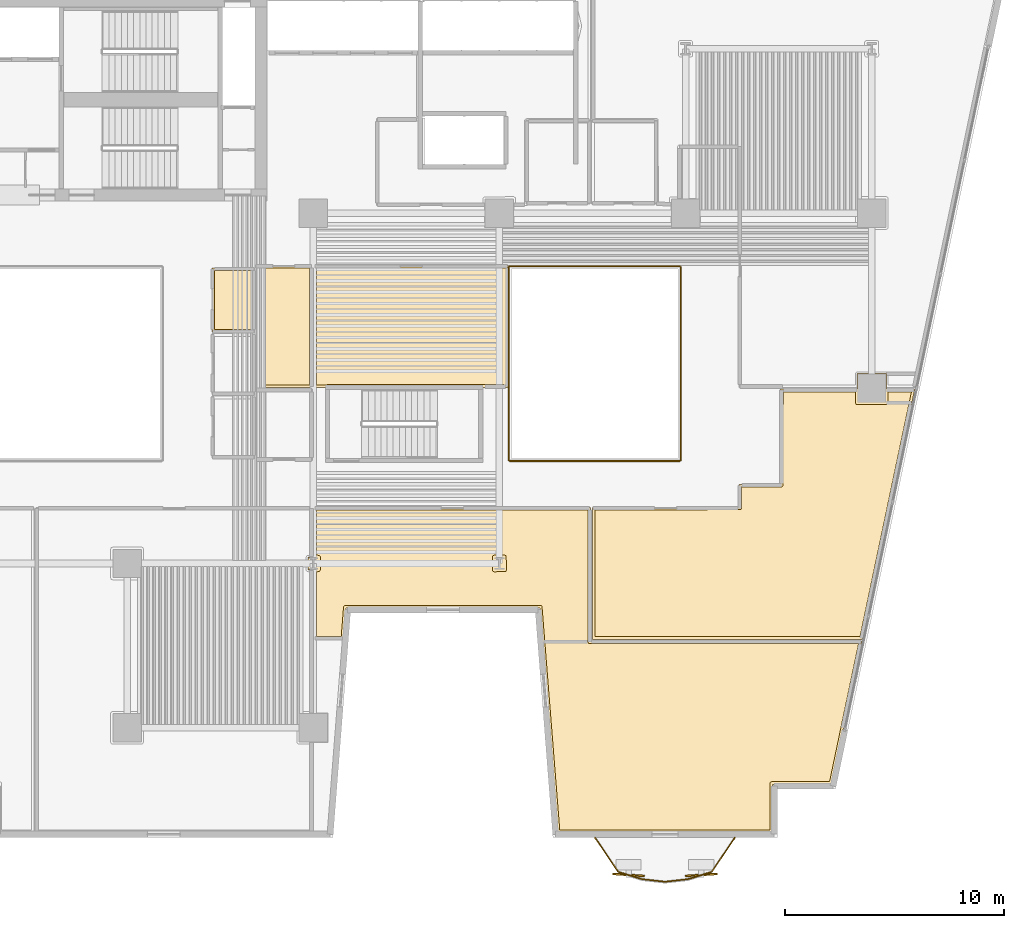
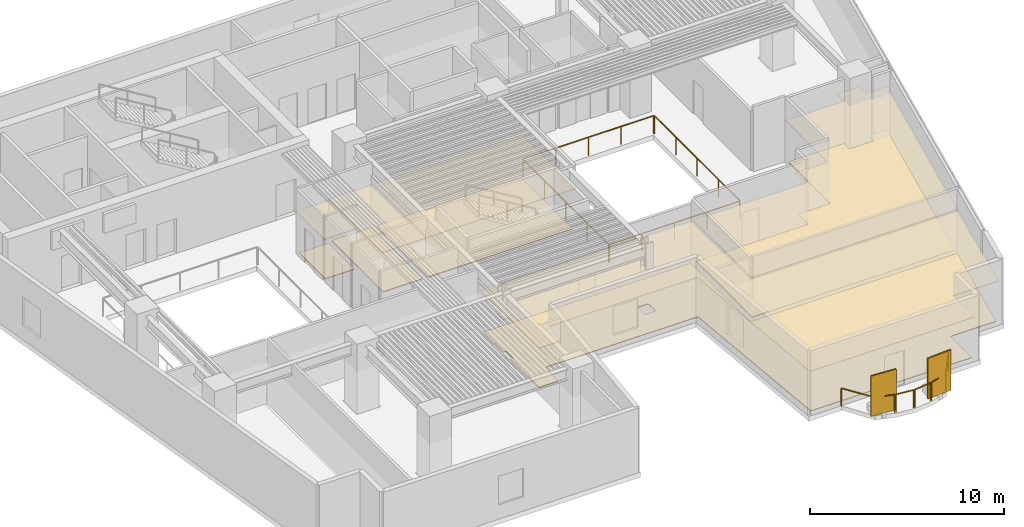
# One storey, part 9 of 11: 10 coverings, 10 railings, 2 shading devices.
"""IFC4 building model written with IfcOpenShell, lengths in metres."""

import ifcopenshell
import ifcopenshell.guid

model = None  # the IFC model being written
_history = None  # IfcOwnerHistory: only IFC2X3 demands one
_inside = {}  # id of a spatial element -> (the spatial element, [elements in it])
_under = {}  # id of a project, library or spatial element -> (it, [spatial elements below it])
_declared = {}  # id of a project -> (the project, [libraries it declares])
_typed = {}  # id of a type object -> (the type object, [elements of that type])
_made_of = {}  # id of a material, layer set ... -> (it, [elements and type objects made of it])


def new_model(schema):
    """Start an empty IFC model of exactly this schema.

    Asked for "IFC4X3", IfcOpenShell would pick the latest addendum, in which some entities
    have other attributes; the version numbers below select the first issue.
    IFC2X3 requires an IfcOwnerHistory on every rooted entity: one is made here for all.
    """
    global model, _history
    if schema == "IFC4X3":
        model = ifcopenshell.file(schema_version=(4, 3, 0, 0))
    else:
        model = ifcopenshell.file(schema=schema)
    _inside.clear()
    _under.clear()
    _declared.clear()
    _typed.clear()
    _made_of.clear()
    _history = None
    if model.schema == "IFC2X3":
        org = make("IfcOrganization", Name="unknown")
        user = make(
            "IfcPersonAndOrganization",
            ThePerson=make("IfcPerson", FamilyName="unknown"),
            TheOrganization=org,
        )
        app = make(
            "IfcApplication",
            ApplicationDeveloper=org,
            Version="unknown",
            ApplicationFullName="unknown",
            ApplicationIdentifier="unknown",
        )
        _history = make(
            "IfcOwnerHistory",
            OwningUser=user,
            OwningApplication=app,
            ChangeAction="ADDED",
            CreationDate=0,
        )
    return model


def make(cls, **values):
    """One entity of the class cls with the attributes given. An attribute that is None is left unset."""
    return model.create_entity(
        cls, **{name: value for name, value in values.items() if value is not None}
    )


def rooted(cls, **values):
    """An entity with a GlobalId (a new one), such as an element, a storey or a relation."""
    return make(cls, GlobalId=ifcopenshell.guid.new(), OwnerHistory=_history, **values)


def si_unit(unit_type, name, prefix=None):
    """IfcSIUnit, for example si_unit("LENGTHUNIT", "METRE", prefix="MILLI")."""
    return make("IfcSIUnit", UnitType=unit_type, Prefix=prefix, Name=name)


def assignment(units):
    """IfcUnitAssignment: the units of a project."""
    return None if units is None else make("IfcUnitAssignment", Units=units)


def point(xyz):
    """IfcCartesianPoint."""
    return None if xyz is None else make("IfcCartesianPoint", Coordinates=xyz)


def direction(xyz):
    """IfcDirection."""
    return None if xyz is None else make("IfcDirection", DirectionRatios=xyz)


def frame(location, z_axis=None, x_axis=None):
    """IfcAxis2Placement3D, a coordinate frame: its origin and axes. An axis left out is left unset."""
    return make(
        "IfcAxis2Placement3D",
        Location=point(location),
        Axis=direction(z_axis),
        RefDirection=direction(x_axis),
    )


def frame_2d(location, x_axis=None):
    """IfcAxis2Placement2D, a coordinate frame in the plane: its origin and x axis."""
    return make(
        "IfcAxis2Placement2D", Location=point(location), RefDirection=direction(x_axis)
    )


def origin():
    """The frame at (0, 0, 0) with its axes left unset."""
    return frame((0.0, 0.0, 0.0))


def origin_2d():
    """The frame at (0, 0) in the plane with its x axis left unset."""
    return frame_2d((0.0, 0.0))


def place(relative_to, where):
    """IfcLocalPlacement: puts the frame where relative to a parent placement (None: the world)."""
    return make(
        "IfcLocalPlacement", PlacementRelTo=relative_to, RelativePlacement=where
    )


def context(
    kind, dimensions, precision=None, world=None, true_north=None, identifier=None
):
    """IfcGeometricRepresentationContext, for example the 3D "Model" context."""
    return make(
        "IfcGeometricRepresentationContext",
        ContextIdentifier=identifier,
        ContextType=kind,
        CoordinateSpaceDimension=dimensions,
        Precision=precision,
        WorldCoordinateSystem=world,
        TrueNorth=true_north,
    )


def subcontext(parent, identifier, kind, view, scale=None):
    """IfcGeometricRepresentationSubContext, for example "Body" below "Model"."""
    return make(
        "IfcGeometricRepresentationSubContext",
        ContextIdentifier=identifier,
        ContextType=kind,
        ParentContext=parent,
        TargetScale=scale,
        TargetView=view,
    )


def project(units=None, contexts=None):
    """IfcProject with its units and contexts."""
    return rooted(
        "IfcProject",
        Name="project",
        RepresentationContexts=contexts,
        UnitsInContext=assignment(units),
    )


def spatial(cls, under=None, at=None, **own):
    """A site, building, storey or space (cls), placed at a placement, below another one or the project."""
    s = rooted(cls, ObjectPlacement=at, **own)
    if under is not None:
        _under.setdefault(under.id(), (under, []))[1].append(s)
    return s


def polyline(points):
    """IfcPolyline through the points."""
    return make("IfcPolyline", Points=[point(p) for p in points])


def profile(cls, at=None, kind="AREA", **sizes):
    """A parametric profile (cls). Its sizes go by their IFC names, for example OverallWidth=200.0."""
    return make(cls, ProfileType=kind, Position=at, **sizes)


def rectangle(**sizes):
    """IfcRectangleProfileDef."""
    return profile("IfcRectangleProfileDef", **sizes)


def outline(outer, holes=None, kind="AREA"):
    """IfcArbitraryClosedProfileDef: a profile drawn as a closed curve; with holes, ...WithVoids."""
    if holes is None:
        return make("IfcArbitraryClosedProfileDef", ProfileType=kind, OuterCurve=outer)
    return make(
        "IfcArbitraryProfileDefWithVoids",
        ProfileType=kind,
        OuterCurve=outer,
        InnerCurves=holes,
    )


def extrude(swept, where, along, depth):
    """IfcExtrudedAreaSolid: the profile swept, set in the frame where, extruded along a direction by depth."""
    return make(
        "IfcExtrudedAreaSolid",
        SweptArea=swept,
        Position=where,
        ExtrudedDirection=direction(along),
        Depth=depth,
    )


def shape(context_of_items, identifier, shape_type, items):
    """IfcShapeRepresentation: the items that make up one representation, for example the "Body"."""
    return make(
        "IfcShapeRepresentation",
        ContextOfItems=context_of_items,
        RepresentationIdentifier=identifier,
        RepresentationType=shape_type,
        Items=items,
    )


def material(Name=None, Category=None):
    """IfcMaterial."""
    return make("IfcMaterial", Name=Name, Category=Category)


def layer(
    of_material, thickness, ventilated=None, Name=None, Category=None, Priority=None
):
    """IfcMaterialLayer: one layer of a wall or slab, of a material (None: an air gap)."""
    return make(
        "IfcMaterialLayer",
        Material=of_material,
        LayerThickness=thickness,
        IsVentilated=ventilated,
        Name=Name,
        Category=Category,
        Priority=Priority,
    )


def layer_set(layers, Name=None):
    """IfcMaterialLayerSet."""
    return make("IfcMaterialLayerSet", MaterialLayers=layers, LayerSetName=Name)


def made_of(thing, what):
    """Note that an element or type object is made of a material, layer set ...; save() writes the relation."""
    if what is not None:
        _made_of.setdefault(what.id(), (what, []))[1].append(thing)
    return thing


def type_object(cls, material=None, **own):
    """A type object (cls), such as IfcWallType, which elements share."""
    return made_of(rooted(cls, **own), material)


def element(
    cls,
    number,
    at=None,
    inside=None,
    cuts=None,
    type_object=None,
    material=None,
    context=None,
    identifier="Body",
    shape_type=None,
    held_by="IfcProductDefinitionShape",
    body=None,
    shapes=None,
    **own,
):
    """One element of the class cls, such as IfcWall. Its Tag is "e" and its number.

    at: its placement. inside: the storey or other place that contains it. cuts: it is an
    opening in that element (IfcRelVoidsElement). A single representation is given by context,
    identifier, shape_type and body (its items); several are given by shapes. held_by: the class
    of the entity that holds the representations. save() writes the other relations.
    """
    e = rooted(cls, Tag="e%d" % number, ObjectPlacement=at, **own)
    if body is not None:
        shapes = [shape(context, identifier, shape_type, body)]
    if shapes is not None:
        e.Representation = make(held_by, Representations=shapes)
    if inside is not None:
        _inside.setdefault(inside.id(), (inside, []))[1].append(e)
    if cuts is not None:
        rooted(
            "IfcRelVoidsElement", RelatingBuildingElement=cuts, RelatedOpeningElement=e
        )
    if type_object is not None:
        _typed.setdefault(type_object.id(), (type_object, []))[1].append(e)
    return made_of(e, material)


def aggregate(whole, parts):
    """IfcRelAggregates: a whole, such as a stair, and the parts it consists of."""
    return rooted("IfcRelAggregates", RelatingObject=whole, RelatedObjects=parts)


def save(model, path):
    """Write the relations noted so far, then the file.

    IfcRelAggregates (storeys below a building ...), IfcRelContainedInSpatialStructure (elements
    in a storey), IfcRelDefinesByType, IfcRelAssociatesMaterial and IfcRelDeclares: one each for
    every whole, place, type object, material and project.
    """
    for whole, parts in _under.values():
        aggregate(whole, parts)
    for where, things in _inside.values():
        rooted(
            "IfcRelContainedInSpatialStructure",
            RelatedElements=things,
            RelatingStructure=where,
        )
    for kind, things in _typed.values():
        rooted("IfcRelDefinesByType", RelatedObjects=things, RelatingType=kind)
    for what, things in _made_of.values():
        rooted("IfcRelAssociatesMaterial", RelatedObjects=things, RelatingMaterial=what)
    for by, libraries in _declared.values():
        rooted("IfcRelDeclares", RelatingContext=by, RelatedDefinitions=libraries)
    model.write(path)


model = new_model("IFC4")

# Units and contexts
model_context = context("Model", 3, precision=1e-05, world=origin(), true_north=direction((0.0, 1.0)))
body_context = subcontext(model_context, "Body", "Model", "MODEL_VIEW")
ifc_project = project(units=[si_unit("LENGTHUNIT", "METRE"), si_unit("AREAUNIT", "SQUARE_METRE"), si_unit("VOLUMEUNIT", "CUBIC_METRE"), si_unit("PLANEANGLEUNIT", "RADIAN"), si_unit("MASSUNIT", "GRAM", prefix="KILO")], contexts=[model_context])

# Site, building, storey
site_placement = place(None, origin())
site = spatial("IfcSite", under=ifc_project, at=site_placement, CompositionType="ELEMENT")
building_placement = place(site_placement, origin())
building = spatial("IfcBuilding", under=site, at=building_placement, Name="Caeloran Harvest Quay", CompositionType="ELEMENT")
storey_placement = place(building_placement, frame((0.0, 0.0, 44.60009765625)))
storey = spatial("IfcBuildingStorey", under=building, at=storey_placement, Name="L10", CompositionType="ELEMENT", Elevation=44.60009765625)

# Coverings
ifc_material_1 = material(Name="Perforated Mineral-Fibre Acoustic Ceiling Tile", Category="ceiling")
ifc_layer_1 = layer(ifc_material_1, 0.0400390625, Name="Perforated Mineral-Fibre Acoustic Ceiling Tile")
ifc_layer_set_1 = layer_set([ifc_layer_1], Name="Perforated Mineral-Fibre Acoustic Ceiling Tile")
covering_type_1 = type_object("IfcCoveringType", Name="COV-CEILING-ACOUSTIC", PredefinedType="CEILING", material=ifc_layer_set_1)
covering_1_placement = place(storey_placement, frame((0.0, 0.0, 2.599853515625)))
element("IfcCovering", 1, at=covering_1_placement, inside=storey, type_object=covering_type_1, Name="L10 Male Washroom WC Acoustic Ceiling", PredefinedType="CEILING", context=body_context, shape_type="SweptSolid", body=[
    extrude(outline(polyline([(22.840087890625, 25.56005859375), (20.8701171875, 25.56005859375), (20.8701171875, 28.489990234375), (22.840087890625, 28.489990234375), (22.840087890625, 25.56005859375)])), origin(), (0.0, 0.0, 1.0), 0.0400390625),
])
covering_2_placement = place(storey_placement, frame((0.0, 0.0, 2.599853515625)))
element("IfcCovering", 2, at=covering_2_placement, inside=storey, type_object=covering_type_1, Name="Microgreens LED Rack Chamber Acoustic Ceiling", PredefinedType="CEILING", context=body_context, shape_type="SweptSolid", body=[
    extrude(outline(polyline([(46.467041015625, 2.719970703125), (36.64404296875, 2.719970703125), (35.843994140625, 12.969970703125), (26.99951171875, 12.969970703125), (26.887939453125, 11.5400390625), (25.5400390625, 11.5400390625), (25.5400390625, 14.695556640625), (25.2529296875, 14.695556640625), (25.2529296875, 15.304443359375), (25.5400390625, 15.304443359375), (25.5400390625, 17.56005859375), (38.159912109375, 17.56005859375), (38.159912109375, 11.4599609375), (50.54443359375, 11.4599609375), (49.170654296875, 4.919921875), (46.467041015625, 4.919921875), (46.467041015625, 2.719970703125)])), origin(), (0.0, 0.0, 1.0), 0.0400390625),
])
covering_3_placement = place(storey_placement, frame((0.0, 0.0, 2.599853515625)))
element("IfcCovering", 3, at=covering_3_placement, inside=storey, type_object=covering_type_1, Name="Tissue Culture Laboratory Acoustic Ceiling", PredefinedType="CEILING", context=body_context, shape_type="SweptSolid", body=[
    extrude(outline(polyline([(44.93994140625, 18.610107421875), (46.840087890625, 18.610107421875), (46.840087890625, 22.9599609375), (50.330078125, 22.9599609375), (50.330078125, 23.669921875), (51.669921875, 23.669921875), (51.669921875, 22.9599609375), (52.960205078125, 22.9599609375), (50.561279296875, 11.5400390625), (38.239990234375, 11.5400390625), (38.239990234375, 17.56005859375), (44.93994140625, 17.56005859375), (44.93994140625, 18.610107421875)])), origin(), (0.0, 0.0, 1.0), 0.0400390625),
])
covering_4_placement = place(storey_placement, frame((0.0, 0.0, 2.599853515625)))
element("IfcCovering", 4, at=covering_4_placement, inside=storey, type_object=covering_type_1, Name="Farm Operations Office Acoustic Ceiling", PredefinedType="CEILING", context=body_context, shape_type="SweptSolid", body=[
    extrude(outline(polyline([(22.8701171875, 28.512939453125), (22.85009765625, 28.52001953125), (22.85009765625, 28.610107421875), (25.4599609375, 28.610107421875), (25.4599609375, 23.0400390625), (22.8701171875, 23.0400390625), (22.8701171875, 28.512939453125)])), origin(), (0.0, 0.0, 1.0), 0.0400390625),
])
covering_5_placement = place(storey_placement, frame((0.0, 0.0, 2.599853515625)))
element("IfcCovering", 5, at=covering_5_placement, inside=storey, type_object=covering_type_1, Name="Botanical Tasting Meeting Room Acoustic Ceiling", PredefinedType="CEILING", context=body_context, shape_type="SweptSolid", body=[
    extrude(outline(polyline([(26.13720703125, 23.06005859375), (26.1298828125, 23.0400390625), (25.5400390625, 23.0400390625), (25.5400390625, 28.610107421875), (34.409912109375, 28.610107421875), (34.409912109375, 23.0400390625), (33.170166015625, 23.0400390625), (33.162841796875, 23.06005859375), (26.13720703125, 23.06005859375)])), origin(), (0.0, 0.0, 1.0), 0.0400390625),
])
ifc_material_2 = material(Name="Calcium-Sulphate Raised Access Floor and Terrazzo Finish", Category="flooring")
ifc_layer_2 = layer(ifc_material_2, 0.050048828125, Name="Calcium-Sulphate Raised Access Floor and Terrazzo Finish")
ifc_layer_set_2 = layer_set([ifc_layer_2], Name="Calcium-Sulphate Raised Access Floor and Terrazzo Finish")
covering_type_2 = type_object("IfcCoveringType", Name="COV-FLOOR-RAISED", PredefinedType="FLOORING", material=ifc_layer_set_2)
covering_6_placement = place(storey_placement, origin())
element("IfcCovering", 6, at=covering_6_placement, inside=storey, type_object=covering_type_2, Name="L10 Male Washroom WC Raised Finish Flooring", PredefinedType="FLOORING", context=body_context, shape_type="SweptSolid", body=[
    extrude(outline(polyline([(22.719970703125, 25.679931640625), (20.989990234375, 25.679931640625), (20.989990234375, 28.3701171875), (22.719970703125, 28.3701171875), (22.719970703125, 25.679931640625)])), origin(), (0.0, 0.0, 1.0), 0.0498046875),
])
covering_7_placement = place(storey_placement, origin())
element("IfcCovering", 7, at=covering_7_placement, inside=storey, type_object=covering_type_2, Name="Microgreens LED Rack Chamber Raised Finish Flooring", PredefinedType="FLOORING", context=body_context, shape_type="SweptSolid", body=[
    extrude(outline(polyline([(46.427001953125, 5.0400390625), (46.370361328125, 5.0166015625), (46.346923828125, 4.9599609375), (46.346923828125, 2.840087890625), (36.7548828125, 2.840087890625), (35.943603515625, 13.06005859375), (35.881103515625, 13.090087890625), (26.95458984375, 13.089599609375), (26.8828125, 13.01611328125), (26.77685546875, 11.659912109375), (25.659912109375, 11.659912109375), (25.659912109375, 14.62060546875), (25.77978515625, 14.6298828125), (25.822021484375, 14.700439453125), (25.820556640625, 15.315185546875), (25.772705078125, 15.373291015625), (25.659912109375, 15.37939453125), (25.659912109375, 17.43994140625), (38.0400390625, 17.43994140625), (38.0400390625, 11.419921875), (38.082275390625, 11.349365234375), (50.396728515625, 11.340087890625), (49.0732421875, 5.0400390625), (46.427001953125, 5.0400390625)]), holes=[polyline([(33.758056640625, 15.37939453125), (33.701416015625, 15.356201171875), (33.678466796875, 15.307373046875), (33.69140625, 14.656005859375), (33.758056640625, 14.62060546875), (34.286376953125, 14.634033203125), (34.322021484375, 14.700439453125), (34.30859375, 15.343994140625), (34.249755859375, 15.379150390625), (33.758056640625, 15.37939453125)])]), origin(), (0.0, 0.0, 1.0), 0.0498046875),
])
covering_8_placement = place(storey_placement, origin())
element("IfcCovering", 8, at=covering_8_placement, inside=storey, type_object=covering_type_2, Name="Tissue Culture Laboratory Raised Finish Flooring", PredefinedType="FLOORING", context=body_context, shape_type="SweptSolid", body=[
    extrude(outline(polyline([(38.360107421875, 17.43994140625), (45.03076171875, 17.458251953125), (45.0595703125, 17.51220703125), (45.06005859375, 18.489990234375), (46.8798828125, 18.489990234375), (46.953857421875, 18.539306640625), (46.9599609375, 22.840087890625), (50.2548828125, 22.840087890625), (50.25537109375, 22.3271484375), (50.2841796875, 22.273193359375), (50.3349609375, 22.2548828125), (51.6806640625, 22.256591796875), (51.74462890625, 22.3271484375), (51.7451171875, 22.840087890625), (52.8125, 22.840087890625), (50.4638671875, 11.659912109375), (38.360107421875, 11.659912109375), (38.360107421875, 17.43994140625)])), origin(), (0.0, 0.0, 1.0), 0.0498046875),
])
covering_9_placement = place(storey_placement, origin())
element("IfcCovering", 9, at=covering_9_placement, inside=storey, type_object=covering_type_2, Name="Farm Operations Office Raised Finish Flooring", PredefinedType="FLOORING", context=body_context, shape_type="SweptSolid", body=[
    extrude(outline(polyline([(22.989990234375, 28.489990234375), (25.340087890625, 28.489990234375), (25.340087890625, 23.159912109375), (22.989990234375, 23.159912109375), (22.989990234375, 28.489990234375)])), origin(), (0.0, 0.0, 1.0), 0.0498046875),
])
covering_10_placement = place(storey_placement, origin())
element("IfcCovering", 10, at=covering_10_placement, inside=storey, type_object=covering_type_2, Name="Botanical Tasting Meeting Room Raised Finish Flooring", PredefinedType="FLOORING", context=body_context, shape_type="SweptSolid", body=[
    extrude(outline(polyline([(33.169921875, 23.179931640625), (25.659912109375, 23.159912109375), (25.659912109375, 28.489990234375), (34.2900390625, 28.489990234375), (34.2900390625, 23.159912109375), (33.169921875, 23.179931640625)])), origin(), (0.0, 0.0, 1.0), 0.0498046875),
])

# Railings
ifc_material_3 = material(Name="Powder-Coated Steel Post and Laminated Glass Guardrail", Category="steel")
ifc_layer_3 = layer(ifc_material_3, 0.06005859375, Name="Powder-Coated Steel Post and Laminated Glass Guardrail")
ifc_layer_set_3 = layer_set([ifc_layer_3], Name="Powder-Coated Steel Post and Laminated Glass Guardrail")
railing_type_1 = type_object("IfcRailingType", Name="GUARD-ATRIUM-1150", PredefinedType="GUARDRAIL", material=ifc_layer_set_3)
railing_1_placement = place(storey_placement, frame((34.4619140625, 19.679931640625, 0.0)))
element("IfcRailing", 11, at=railing_1_placement, inside=storey, type_object=railing_type_1, Name="L10 East Botanical Lightwell Guardrail Seg 1", PredefinedType="GUARDRAIL", context=body_context, shape_type="SweptSolid", body=[
    extrude(rectangle(XDim=0.048095703125, YDim=0.048095703125, at=origin_2d()), frame((0.0, 0.0, 1.1259765625), z_axis=(1.0, 0.0, 0.0), x_axis=(0.0, 1.0, 0.0)), (0.0, 0.0, 1.0), 7.776123046875),
    extrude(rectangle(XDim=0.0419921875, YDim=0.0419921875, at=origin_2d()), origin(), (0.0, 0.0, 1.0), 1.101806640625),
    extrude(rectangle(XDim=0.0419921875, YDim=0.0419921875, at=origin_2d()), frame((1.944091796875, 0.0, 0.0)), (0.0, 0.0, 1.0), 1.101806640625),
    extrude(rectangle(XDim=0.0419921875, YDim=0.0419921875, at=origin_2d()), frame((3.88818359375, 0.0, 0.0)), (0.0, 0.0, 1.0), 1.101806640625),
    extrude(rectangle(XDim=0.0419921875, YDim=0.0419921875, at=origin_2d()), frame((5.83203125, 0.0, 0.0)), (0.0, 0.0, 1.0), 1.101806640625),
    extrude(rectangle(XDim=0.0419921875, YDim=0.0419921875, at=origin_2d()), frame((7.776123046875, 0.0, 0.0)), (0.0, 0.0, 1.0), 1.101806640625),
])
railing_2_placement = place(storey_placement, frame((42.27001953125, 19.7119140625, 0.0)))
element("IfcRailing", 12, at=railing_2_placement, inside=storey, type_object=railing_type_1, Name="L10 East Botanical Lightwell Guardrail Seg 2", PredefinedType="GUARDRAIL", context=body_context, shape_type="SweptSolid", body=[
    extrude(rectangle(XDim=0.048095703125, YDim=0.048095703125, at=origin_2d()), frame((0.0, 0.0, 1.1259765625), z_axis=(0.0, 1.0, 0.0), x_axis=(-1.0, 0.0, 0.0)), (0.0, 0.0, 1.0), 8.826171875),
    extrude(rectangle(XDim=0.0419921875, YDim=0.0419921875, at=origin_2d()), origin(), (0.0, 0.0, 1.0), 1.101806640625),
    extrude(rectangle(XDim=0.0419921875, YDim=0.0419921875, at=origin_2d()), frame((0.0, 2.20654296875, 0.0)), (0.0, 0.0, 1.0), 1.101806640625),
    extrude(rectangle(XDim=0.0419921875, YDim=0.0419921875, at=origin_2d()), frame((0.0, 4.4130859375, 0.0)), (0.0, 0.0, 1.0), 1.101806640625),
    extrude(rectangle(XDim=0.0419921875, YDim=0.0419921875, at=origin_2d()), frame((0.0, 6.61962890625, 0.0)), (0.0, 0.0, 1.0), 1.101806640625),
    extrude(rectangle(XDim=0.0419921875, YDim=0.0419921875, at=origin_2d()), frame((0.0, 8.826171875, 0.0)), (0.0, 0.0, 1.0), 1.101806640625),
])
railing_3_placement = place(storey_placement, frame((42.238037109375, 28.570068359375, 0.0)))
element("IfcRailing", 13, at=railing_3_placement, inside=storey, type_object=railing_type_1, Name="L10 East Botanical Lightwell Guardrail Seg 3", PredefinedType="GUARDRAIL", context=body_context, shape_type="SweptSolid", body=[
    extrude(rectangle(XDim=0.048095703125, YDim=0.048095703125, at=origin_2d()), frame((0.0, 0.0, 1.1259765625), z_axis=(-1.0, 0.0, 0.0), x_axis=(0.0, -1.0, 0.0)), (0.0, 0.0, 1.0), 7.776123046875),
    extrude(rectangle(XDim=0.0419921875, YDim=0.0419921875, at=origin_2d()), origin(), (0.0, 0.0, 1.0), 1.101806640625),
    extrude(rectangle(XDim=0.0419921875, YDim=0.0419921875, at=origin_2d()), frame((-1.944091796875, 0.0, 0.0)), (0.0, 0.0, 1.0), 1.101806640625),
    extrude(rectangle(XDim=0.0419921875, YDim=0.0419921875, at=origin_2d()), frame((-3.88818359375, 0.0, 0.0)), (0.0, 0.0, 1.0), 1.101806640625),
    extrude(rectangle(XDim=0.0419921875, YDim=0.0419921875, at=origin_2d()), frame((-5.83203125, 0.0, 0.0)), (0.0, 0.0, 1.0), 1.101806640625),
    extrude(rectangle(XDim=0.0419921875, YDim=0.0419921875, at=origin_2d()), frame((-7.776123046875, 0.0, 0.0)), (0.0, 0.0, 1.0), 1.101806640625),
])
railing_4_placement = place(storey_placement, frame((34.429931640625, 28.5380859375, 0.0)))
element("IfcRailing", 14, at=railing_4_placement, inside=storey, type_object=railing_type_1, Name="L10 East Botanical Lightwell Guardrail Seg 4", PredefinedType="GUARDRAIL", context=body_context, shape_type="SweptSolid", body=[
    extrude(rectangle(XDim=0.048095703125, YDim=0.048095703125, at=origin_2d()), frame((0.0, 0.0, 1.1259765625), z_axis=(0.0, -1.0, 0.0), x_axis=(1.0, 0.0, 0.0)), (0.0, 0.0, 1.0), 8.826171875),
    extrude(rectangle(XDim=0.0419921875, YDim=0.0419921875, at=origin_2d()), origin(), (0.0, 0.0, 1.0), 1.101806640625),
    extrude(rectangle(XDim=0.0419921875, YDim=0.0419921875, at=origin_2d()), frame((0.0, -2.20654296875, 0.0)), (0.0, 0.0, 1.0), 1.101806640625),
    extrude(rectangle(XDim=0.0419921875, YDim=0.0419921875, at=origin_2d()), frame((0.0, -4.4130859375, 0.0)), (0.0, 0.0, 1.0), 1.101806640625),
    extrude(rectangle(XDim=0.0419921875, YDim=0.0419921875, at=origin_2d()), frame((0.0, -6.61962890625, 0.0)), (0.0, 0.0, 1.0), 1.101806640625),
    extrude(rectangle(XDim=0.0419921875, YDim=0.0419921875, at=origin_2d()), frame((0.0, -8.826171875, 0.0)), (0.0, 0.0, 1.0), 1.101806640625),
])
ifc_material_4 = material(Name="Laminated Safety Glass and Stainless Steel 316", Category="steel")
ifc_layer_4 = layer(ifc_material_4, 0.06005859375, Name="Laminated Safety Glass and Stainless Steel 316")
ifc_layer_set_4 = layer_set([ifc_layer_4], Name="Laminated Safety Glass and Stainless Steel 316")
railing_type_2 = type_object("IfcRailingType", Name="GUARD-BALUSTRADE-1150", PredefinedType="BALUSTRADE", material=ifc_layer_set_4)
railing_5_placement = place(storey_placement, frame((44.7509765625, 2.47998046875, 0.0)))
element("IfcRailing", 15, at=railing_5_placement, inside=storey, type_object=railing_type_2, Name="L10 Planted Balcony Perimeter Balustrade Guard Seg 1", PredefinedType="BALUSTRADE", context=body_context, shape_type="SweptSolid", body=[
    extrude(rectangle(XDim=0.048095703125, YDim=0.048095703125, at=origin_2d()), frame((0.0, 0.0, 1.1259765625), z_axis=(-0.563500035974, -0.826116038737, 0.0), x_axis=(0.826116038737, -0.563500035974, 0.0)), (0.0, 0.0, 1.0), 1.8564453125),
    extrude(rectangle(XDim=0.0419921875, YDim=0.0419921875, at=origin_2d()), origin(), (0.0, 0.0, 1.0), 1.101806640625),
    extrude(rectangle(XDim=0.0419921875, YDim=0.0419921875, at=origin_2d()), frame((-1.046142578125, -1.53369140625, 0.0)), (0.0, 0.0, 1.0), 1.101806640625),
])
railing_6_placement = place(storey_placement, frame((43.65625, 0.910400390625, 0.0)))
element("IfcRailing", 16, at=railing_6_placement, inside=storey, type_object=railing_type_2, Name="L10 Planted Balcony Perimeter Balustrade Guard Seg 2", PredefinedType="BALUSTRADE", context=body_context, shape_type="SweptSolid", body=[
    extrude(rectangle(XDim=0.048095703125, YDim=0.048095703125, at=origin_2d()), frame((0.0, 0.0, 1.1259765625), z_axis=(-0.955320291694, -0.295572563472, 0.0), x_axis=(0.295572563472, -0.955320291694, 0.0)), (0.0, 0.0, 1.0), 1.0498046875),
    extrude(rectangle(XDim=0.0419921875, YDim=0.0419921875, at=origin_2d()), origin(), (0.0, 0.0, 1.0), 1.101806640625),
    extrude(rectangle(XDim=0.0419921875, YDim=0.0419921875, at=origin_2d()), frame((-1.0029296875, -0.310302734375, 0.0)), (0.0, 0.0, 1.0), 1.101806640625),
])
railing_7_placement = place(storey_placement, frame((42.5908203125, 0.5869140625, 0.0)))
element("IfcRailing", 17, at=railing_7_placement, inside=storey, type_object=railing_type_2, Name="L10 Planted Balcony Perimeter Balustrade Guard Seg 3", PredefinedType="BALUSTRADE", context=body_context, shape_type="SweptSolid", body=[
    extrude(rectangle(XDim=0.048095703125, YDim=0.048095703125, at=origin_2d()), frame((0.0, 0.0, 1.1259765625), z_axis=(-0.993650922691, -0.112507083487, 0.0), x_axis=(0.112507083487, -0.993650922691, 0.0)), (0.0, 0.0, 1.0), 1.0068359375),
    extrude(rectangle(XDim=0.0419921875, YDim=0.0419921875, at=origin_2d()), origin(), (0.0, 0.0, 1.0), 1.101806640625),
    extrude(rectangle(XDim=0.0419921875, YDim=0.0419921875, at=origin_2d()), frame((-1.00048828125, -0.11328125, 0.0)), (0.0, 0.0, 1.0), 1.101806640625),
])
railing_8_placement = place(storey_placement, frame((41.526611328125, 0.4736328125, 0.0)))
element("IfcRailing", 18, at=railing_8_placement, inside=storey, type_object=railing_type_2, Name="L10 Planted Balcony Perimeter Balustrade Guard Seg 4", PredefinedType="BALUSTRADE", context=body_context, shape_type="SweptSolid", body=[
    extrude(rectangle(XDim=0.048095703125, YDim=0.048095703125, at=origin_2d()), frame((0.0, 0.0, 1.1259765625), z_axis=(-0.993650922691, 0.112507083487, 0.0), x_axis=(-0.112507083487, -0.993650922691, 0.0)), (0.0, 0.0, 1.0), 1.0068359375),
    extrude(rectangle(XDim=0.0419921875, YDim=0.0419921875, at=origin_2d()), origin(), (0.0, 0.0, 1.0), 1.101806640625),
    extrude(rectangle(XDim=0.0419921875, YDim=0.0419921875, at=origin_2d()), frame((-1.00048828125, 0.11328125, 0.0)), (0.0, 0.0, 1.0), 1.101806640625),
])
railing_9_placement = place(storey_placement, frame((40.463623046875, 0.60009765625, 0.0)))
element("IfcRailing", 19, at=railing_9_placement, inside=storey, type_object=railing_type_2, Name="L10 Planted Balcony Perimeter Balustrade Guard Seg 5", PredefinedType="BALUSTRADE", context=body_context, shape_type="SweptSolid", body=[
    extrude(rectangle(XDim=0.048095703125, YDim=0.048095703125, at=origin_2d()), frame((0.0, 0.0, 1.1259765625), z_axis=(-0.955320291694, 0.295572563472, 0.0), x_axis=(-0.295572563472, -0.955320291694, 0.0)), (0.0, 0.0, 1.0), 1.0498046875),
    extrude(rectangle(XDim=0.0419921875, YDim=0.0419921875, at=origin_2d()), origin(), (0.0, 0.0, 1.0), 1.101806640625),
    extrude(rectangle(XDim=0.0419921875, YDim=0.0419921875, at=origin_2d()), frame((-1.0029296875, 0.310302734375, 0.0)), (0.0, 0.0, 1.0), 1.101806640625),
])
railing_10_placement = place(storey_placement, frame((39.412109375, 0.9462890625, 0.0)))
element("IfcRailing", 20, at=railing_10_placement, inside=storey, type_object=railing_type_2, Name="L10 Planted Balcony Perimeter Balustrade Guard Seg 6", PredefinedType="BALUSTRADE", context=body_context, shape_type="SweptSolid", body=[
    extrude(rectangle(XDim=0.048095703125, YDim=0.048095703125, at=origin_2d()), frame((0.0, 0.0, 1.1259765625), z_axis=(-0.563500035974, 0.826116038737, 0.0), x_axis=(-0.826116038737, -0.563500035974, 0.0)), (0.0, 0.0, 1.0), 1.8564453125),
    extrude(rectangle(XDim=0.0419921875, YDim=0.0419921875, at=origin_2d()), origin(), (0.0, 0.0, 1.0), 1.101806640625),
    extrude(rectangle(XDim=0.0419921875, YDim=0.0419921875, at=origin_2d()), frame((-1.046142578125, 1.53369140625, 0.0)), (0.0, 0.0, 1.0), 1.101806640625),
])

# Shading devices
ifc_material_5 = material(Name="3003-H14 Perforated Powder-Coated Aluminium", Category="aluminium")
shading_device_type = type_object("IfcShadingDeviceType", Name="SHADE-SCREEN-FOLDED", PredefinedType="USERDEFINED", material=ifc_material_5)
for number, where, z_axis, x_axis, name in (
    (21, (43.218505859375, 0.780029296875, 0.07470703125), (0.0, 0.0, 1.0), (0.997801468292, 0.0662739004, 0.0), "L10 Folded Facade Breathing Screen 1"),
    (22, (39.8984375, 0.780029296875, 0.07470703125), (0.0, 0.0, 1.0), (0.997801468292, -0.0662739004, 0.0), "L10 Folded Facade Breathing Screen 2"),
):
    element("IfcShadingDevice", number, at=place(storey_placement, frame(where, z_axis=z_axis, x_axis=x_axis)), inside=storey, type_object=shading_device_type, Name=name, ObjectType="SCREEN", PredefinedType="USERDEFINED", context=body_context, shape_type="SweptSolid", body=[
        extrude(rectangle(XDim=1.449951171875, YDim=0.080078125, at=origin_2d()), origin(), (0.0, 0.0, 1.0), 2.550048828125),
    ])

save(model, "model.ifc")
